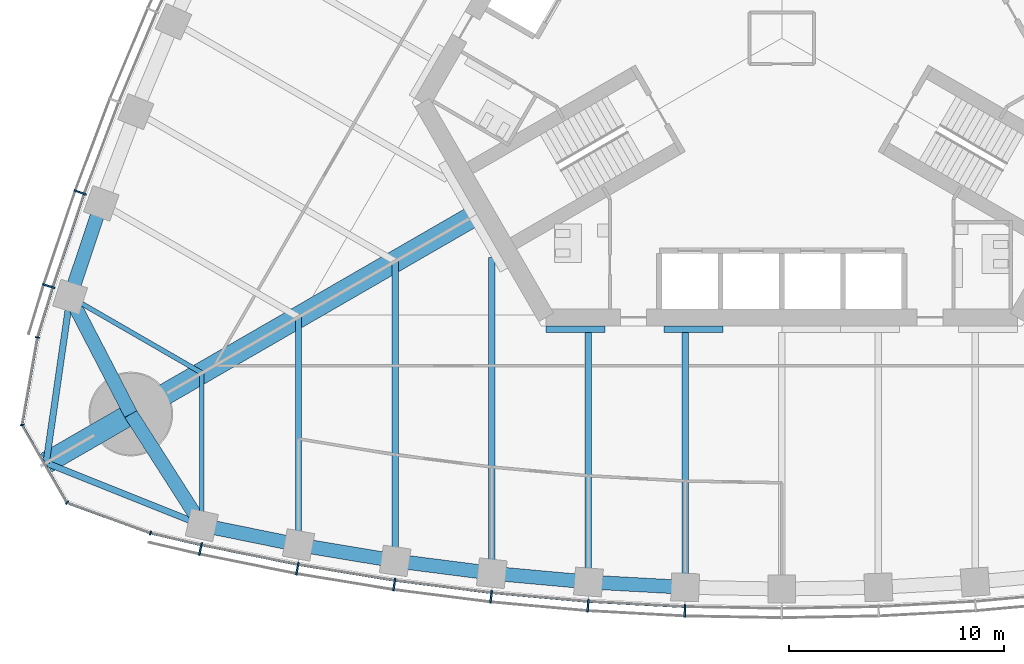
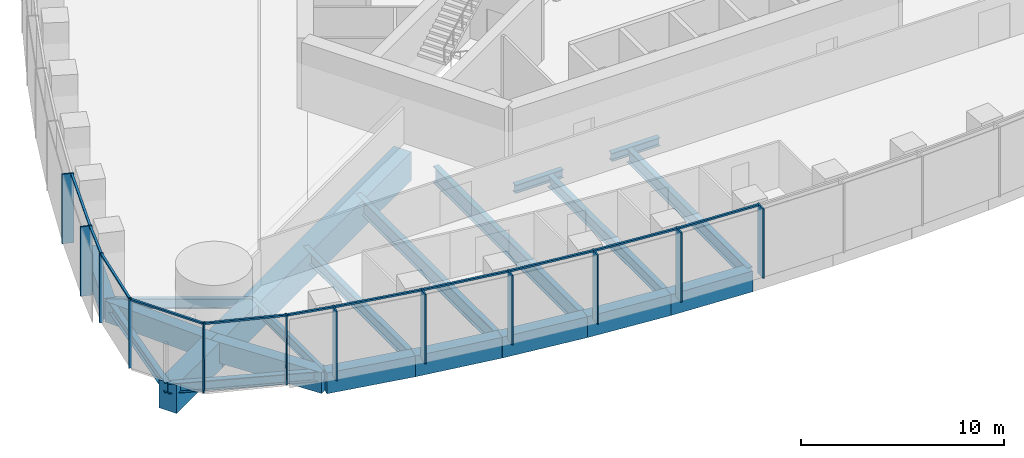
# One storey, part 2 of 19: 23 members, 21 beams, 3 elements without a shape of their own.
"""IFC4 building model written with IfcOpenShell, lengths in metres."""

from ifc_helpers import new_model, si_unit, direction, frame, origin, origin_2d, place, context, subcontext, project, spatial, rectangle, i_section, extrude, material, material_profile, profile_set, type_object, element, aggregate, save


model = new_model("IFC4")

# Units and contexts
model_context = context("Model", 3, precision=1e-05, world=origin(), true_north=direction((0.0, 1.0)))
body_context = subcontext(model_context, "Body", "Model", "MODEL_VIEW")
ifc_project = project(units=[si_unit("LENGTHUNIT", "METRE"), si_unit("AREAUNIT", "SQUARE_METRE"), si_unit("VOLUMEUNIT", "CUBIC_METRE"), si_unit("PLANEANGLEUNIT", "RADIAN"), si_unit("MASSUNIT", "GRAM", prefix="KILO")], contexts=[model_context])

# Site, building, storey
site_placement = place(None, origin())
site = spatial("IfcSite", under=ifc_project, at=site_placement, CompositionType="ELEMENT")
building_placement = place(site_placement, origin())
building = spatial("IfcBuilding", under=site, at=building_placement, Name="Trefoil Bronze Tower", CompositionType="ELEMENT")
storey_placement = place(building_placement, frame((0.0, 0.0, 136.699951171875)))
storey = spatial("IfcBuildingStorey", under=building, at=storey_placement, Name="L31", CompositionType="ELEMENT", Elevation=136.699951171875)

# Curtain wall, members
ifc_material_1 = material(Name="Tinted solar-control glass", Category="glass")
curtain_wall_type_1 = type_object("IfcCurtainWallType", Name="Bronze office curtain wall", PredefinedType="USERDEFINED", material=ifc_material_1)
curtain_wall_1_placement = place(storey_placement, origin())
curtain_wall_1 = element("IfcCurtainWall", 1, at=curtain_wall_1_placement, inside=storey, type_object=curtain_wall_type_1, Name="CW-A L31 F1", ObjectType="CURTAIN WALL", PredefinedType="USERDEFINED")
ifc_material_2 = material(Name="Bronze-finish aluminium", Category="aluminium")
ifc_material_profile_1 = material_profile(ifc_material_2, rectangle(XDim=0.60009765625, YDim=0.080078125, at=origin_2d()), Name="CW-A mullion")
ifc_profile_set_1 = profile_set([ifc_material_profile_1], Name="Bronze-finish aluminium")
member_type_1 = type_object("IfcMemberType", Name="Bronze office curtain wall mullion", PredefinedType="MULLION", material=ifc_profile_set_1)
member_1_placement = place(storey_placement, frame((-27.0634765625, -23.7890625, 0.0), z_axis=(0.0, 0.0, 1.0), x_axis=(0.21197042503, 0.977276081214, 0.0)))
member_1 = element("IfcMember", 2, at=member_1_placement, type_object=member_type_1, Name="CW-A L31 F1 mullion 2", PredefinedType="MULLION", context=body_context, shape_type="SweptSolid", body=[
    extrude(rectangle(XDim=0.60009765625, YDim=0.080078125, at=origin_2d()), origin(), (0.0, 0.0, 1.0), 4.179931640625),
])
member_2_placement = place(storey_placement, frame((-22.553955078125, -24.700927734375, 0.0), z_axis=(0.0, 0.0, 1.0), x_axis=(0.180240853954, 0.98362250613, 0.0)))
member_2 = element("IfcMember", 3, at=member_2_placement, type_object=member_type_1, Name="CW-A L31 F1 mullion 3", PredefinedType="MULLION", context=body_context, shape_type="SweptSolid", body=[
    extrude(rectangle(XDim=0.60009765625, YDim=0.080078125, at=origin_2d()), origin(), (0.0, 0.0, 1.0), 4.179931640625),
])
member_3_placement = place(storey_placement, frame((-18.043212890625, -25.4423828125, 0.0), z_axis=(0.0, 0.0, 1.0), x_axis=(0.144192103798, 0.989549714366, 0.0)))
member_3 = element("IfcMember", 4, at=member_3_placement, type_object=member_type_1, Name="CW-A L31 F1 mullion 4", PredefinedType="MULLION", context=body_context, shape_type="SweptSolid", body=[
    extrude(rectangle(XDim=0.60009765625, YDim=0.080078125, at=origin_2d()), origin(), (0.0, 0.0, 1.0), 4.179931640625),
])
member_4_placement = place(storey_placement, frame((-13.532470703125, -26.01611328125, 0.0), z_axis=(0.0, 0.0, 1.0), x_axis=(0.108143747013, 0.994135267447, 0.0)))
member_4 = element("IfcMember", 5, at=member_4_placement, type_object=member_type_1, Name="CW-A L31 F1 mullion 5", PredefinedType="MULLION", context=body_context, shape_type="SweptSolid", body=[
    extrude(rectangle(XDim=0.60009765625, YDim=0.080078125, at=origin_2d()), origin(), (0.0, 0.0, 1.0), 4.179931640625),
])
member_5_placement = place(storey_placement, frame((-9.021728515625, -26.424072265625, 0.0), z_axis=(0.0, 0.0, 1.0), x_axis=(0.072095676284, 0.997397720802, 0.0)))
member_5 = element("IfcMember", 6, at=member_5_placement, type_object=member_type_1, Name="CW-A L31 F1 mullion 6", PredefinedType="MULLION", context=body_context, shape_type="SweptSolid", body=[
    extrude(rectangle(XDim=0.60009765625, YDim=0.080078125, at=origin_2d()), origin(), (0.0, 0.0, 1.0), 4.179931640625),
])
member_6_placement = place(storey_placement, frame((-4.5107421875, -26.66845703125, 0.0), z_axis=(0.0, 0.0, 1.0), x_axis=(0.036047792107, 0.999350067136, 0.0)))
member_6 = element("IfcMember", 7, at=member_6_placement, type_object=member_type_1, Name="CW-A L31 F1 mullion 7", PredefinedType="MULLION", context=body_context, shape_type="SweptSolid", body=[
    extrude(rectangle(XDim=0.60009765625, YDim=0.080078125, at=origin_2d()), origin(), (0.0, 0.0, 1.0), 4.179931640625),
])

curtain_wall_2_placement = place(storey_placement, origin())
curtain_wall_2 = element("IfcCurtainWall", 8, at=curtain_wall_2_placement, inside=storey, type_object=curtain_wall_type_1, Name="CW-A L31 F3", ObjectType="CURTAIN WALL", PredefinedType="USERDEFINED")
member_7_placement = place(storey_placement, frame((-32.668701171875, -7.181884765625, 0.0), z_axis=(0.0, 0.0, 1.0), x_axis=(0.94196250502, -0.335718094742, 0.0)))
member_7 = element("IfcMember", 9, at=member_7_placement, type_object=member_type_1, Name="CW-A L31 F3 mullion 13", PredefinedType="MULLION", context=body_context, shape_type="SweptSolid", body=[
    extrude(rectangle(XDim=0.60009765625, YDim=0.080078125, at=origin_2d()), origin(), (0.0, 0.0, 1.0), 4.179931640625),
])
member_8_placement = place(storey_placement, frame((-34.1337890625, -11.543212890625, 0.0), z_axis=(0.0, 0.0, 1.0), x_axis=(0.952331125357, -0.30506626768, 0.0)))
member_8 = element("IfcMember", 10, at=member_8_placement, type_object=member_type_1, Name="CW-A L31 F3 mullion 14", PredefinedType="MULLION", context=body_context, shape_type="SweptSolid", body=[
    extrude(rectangle(XDim=0.60009765625, YDim=0.080078125, at=origin_2d()), origin(), (0.0, 0.0, 1.0), 4.179931640625),
])

# Member
ifc_material_3 = material(Name="Bronze-finish aluminium", Category="aluminium")
ifc_material_profile_2 = material_profile(ifc_material_3, rectangle(XDim=0.1201171875, YDim=0.10009765625, at=origin_2d()), Name="CW-A transom")
ifc_profile_set_2 = profile_set([ifc_material_profile_2], Name="Bronze-finish aluminium")
member_type_2 = type_object("IfcMemberType", Name="Bronze office curtain wall transom", PredefinedType="USERDEFINED", material=ifc_profile_set_2)
member_9_placement = place(storey_placement, frame((-29.34130859375, -23.05615234375, 4.130126953125), z_axis=(0.974206243495, -0.225659467196, 0.0), x_axis=(0.225659467196, 0.974206243495, 0.0)))
member_9 = element("IfcMember", 11, at=member_9_placement, type_object=member_type_2, Name="CW-A L31 F1 transom 1", ObjectType="TRANSOM", PredefinedType="USERDEFINED", context=body_context, shape_type="SweptSolid", body=[
    extrude(rectangle(XDim=0.1201171875, YDim=0.10009765625, at=origin_2d()), origin(), (0.0, 0.0, 1.0), 2.340087890625),
])

member_10_placement = place(storey_placement, frame((-26.980712890625, -23.601806640625, 4.130126953125), z_axis=(0.980153749225, -0.198238815273, 0.0), x_axis=(0.198238815273, 0.980153749225, 0.0)))
member_10 = element("IfcMember", 12, at=member_10_placement, type_object=member_type_2, Name="CW-A L31 F1 transom 2", ObjectType="TRANSOM", PredefinedType="USERDEFINED", context=body_context, shape_type="SweptSolid", body=[
    extrude(rectangle(XDim=0.1201171875, YDim=0.10009765625, at=origin_2d()), origin(), (0.0, 0.0, 1.0), 4.51123046875),
])

member_11_placement = place(storey_placement, frame((-22.476806640625, -24.510986328125, 4.130126953125), z_axis=(0.986755265284, -0.162216048636, 0.0), x_axis=(0.162216048636, 0.986755265284, 0.0)))
member_11 = element("IfcMember", 13, at=member_11_placement, type_object=member_type_2, Name="CW-A L31 F1 transom 3", ObjectType="TRANSOM", PredefinedType="USERDEFINED", context=body_context, shape_type="SweptSolid", body=[
    extrude(rectangle(XDim=0.1201171875, YDim=0.10009765625, at=origin_2d()), origin(), (0.0, 0.0, 1.0), 4.48046875),
])

member_12_placement = place(storey_placement, frame((-17.972900390625, -25.249755859375, 4.130126953125), z_axis=(0.992008387848, -0.12617193998, 0.0), x_axis=(0.12617193998, 0.992008387848, 0.0)))
member_12 = element("IfcMember", 14, at=member_12_placement, type_object=member_type_2, Name="CW-A L31 F1 transom 4", ObjectType="TRANSOM", PredefinedType="USERDEFINED", context=body_context, shape_type="SweptSolid", body=[
    extrude(rectangle(XDim=0.1201171875, YDim=0.10009765625, at=origin_2d()), origin(), (0.0, 0.0, 1.0), 4.456298828125),
])

member_13_placement = place(storey_placement, frame((-13.46923828125, -25.821044921875, 4.130126953125), z_axis=(0.995932787062, -0.090099298863, 0.0), x_axis=(0.090099298863, 0.995932787062, 0.0)))
member_13 = element("IfcMember", 15, at=member_13_placement, type_object=member_type_2, Name="CW-A L31 F1 transom 5", ObjectType="TRANSOM", PredefinedType="USERDEFINED", context=body_context, shape_type="SweptSolid", body=[
    extrude(rectangle(XDim=0.1201171875, YDim=0.10009765625, at=origin_2d()), origin(), (0.0, 0.0, 1.0), 4.4384765625),
])

member_14_placement = place(storey_placement, frame((-8.965576171875, -26.22705078125, 4.130126953125), z_axis=(0.998538253569, -0.054049571306, 0.0), x_axis=(0.054049571306, 0.998538253569, 0.0)))
member_14 = element("IfcMember", 16, at=member_14_placement, type_object=member_type_2, Name="CW-A L31 F1 transom 6", ObjectType="TRANSOM", PredefinedType="USERDEFINED", context=body_context, shape_type="SweptSolid", body=[
    extrude(rectangle(XDim=0.1201171875, YDim=0.10009765625, at=origin_2d()), origin(), (0.0, 0.0, 1.0), 4.4267578125),
])

aggregate(curtain_wall_1, [member_1, member_2, member_3, member_4, member_5, member_6, member_9, member_10, member_11, member_12, member_13, member_14])

member_15_placement = place(storey_placement, frame((-32.49365234375, -7.28857421875, 4.130126953125), z_axis=(-0.318386323729, -0.947961048178, 0.0), x_axis=(0.947961048178, -0.318386323729, 0.0)))
member_15 = element("IfcMember", 17, at=member_15_placement, type_object=member_type_2, Name="CW-A L31 F3 transom 13", ObjectType="TRANSOM", PredefinedType="USERDEFINED", context=body_context, shape_type="SweptSolid", body=[
    extrude(rectangle(XDim=0.1201171875, YDim=0.10009765625, at=origin_2d()), origin(), (0.0, 0.0, 1.0), 4.51123046875),
])

member_16_placement = place(storey_placement, frame((-33.955322265625, -11.643798828125, 4.130126953125), z_axis=(-0.291680468798, -0.956515814883, 0.0), x_axis=(0.956515814883, -0.291680468798, 0.0)))
member_16 = element("IfcMember", 18, at=member_16_placement, type_object=member_type_2, Name="CW-A L31 F3 transom 14", ObjectType="TRANSOM", PredefinedType="USERDEFINED", context=body_context, shape_type="SweptSolid", body=[
    extrude(rectangle(XDim=0.1201171875, YDim=0.10009765625, at=origin_2d()), origin(), (0.0, 0.0, 1.0), 2.34033203125),
])

aggregate(curtain_wall_2, [member_7, member_8, member_15, member_16])

# Curtain wall, members
ifc_material_4 = material(Name="Tinted solar-control glass", Category="glass")
curtain_wall_type_2 = type_object("IfcCurtainWallType", Name="Bronze rounded corner curtain wall", PredefinedType="USERDEFINED", material=ifc_material_4)
curtain_wall_3_placement = place(storey_placement, origin())
curtain_wall_3 = element("IfcCurtainWall", 19, at=curtain_wall_3_placement, inside=storey, type_object=curtain_wall_type_2, Name="CW-B L31 K3", ObjectType="CURTAIN WALL", PredefinedType="USERDEFINED")
ifc_material_5 = material(Name="Bronze-finish aluminium", Category="aluminium")
ifc_material_profile_3 = material_profile(ifc_material_5, rectangle(XDim=0.199951171875, YDim=0.06005859375, at=origin_2d()), Name="CW-B mullion")
ifc_profile_set_3 = profile_set([ifc_material_profile_3], Name="Bronze-finish aluminium")
member_type_3 = type_object("IfcMemberType", Name="Bronze rounded corner curtain wall mullion", PredefinedType="MULLION", material=ifc_profile_set_3)
member_17_placement = place(storey_placement, frame((-34.65234375, -13.932373046875, 0.0), z_axis=(0.0, 0.0, 1.0), x_axis=(0.984807753012, -0.173648177667, 0.0)))
member_17 = element("IfcMember", 20, at=member_17_placement, type_object=member_type_3, Name="CW-B L31 K3 mullion 1", PredefinedType="MULLION", context=body_context, shape_type="SweptSolid", body=[
    extrude(rectangle(XDim=0.199951171875, YDim=0.06005859375, at=origin_2d()), origin(), (0.0, 0.0, 1.0), 4.179931640625),
])
member_18_placement = place(storey_placement, frame((-35.364990234375, -18.009033203125, 0.0), z_axis=(0.0, 0.0, 1.0), x_axis=(0.984807753012, 0.173648177667, 0.0)))
member_18 = element("IfcMember", 21, at=member_18_placement, type_object=member_type_3, Name="CW-B L31 K3 mullion 2", PredefinedType="MULLION", context=body_context, shape_type="SweptSolid", body=[
    extrude(rectangle(XDim=0.199951171875, YDim=0.06005859375, at=origin_2d()), origin(), (0.0, 0.0, 1.0), 4.179931640625),
])
member_19_placement = place(storey_placement, frame((-33.27880859375, -21.62255859375, 0.0), z_axis=(0.0, 0.0, 1.0), x_axis=(0.642787609687, 0.766044443119, 0.0)))
member_19 = element("IfcMember", 22, at=member_19_placement, type_object=member_type_3, Name="CW-B L31 K3 mullion 3", PredefinedType="MULLION", context=body_context, shape_type="SweptSolid", body=[
    extrude(rectangle(XDim=0.199951171875, YDim=0.06005859375, at=origin_2d()), origin(), (0.0, 0.0, 1.0), 4.179931640625),
])
member_20_placement = place(storey_placement, frame((-29.391845703125, -23.043701171875, 0.0), z_axis=(0.0, 0.0, 1.0), x_axis=(0.342020143326, 0.939692620786, 0.0)))
member_20 = element("IfcMember", 23, at=member_20_placement, type_object=member_type_3, Name="CW-B L31 K3 mullion 4", PredefinedType="MULLION", context=body_context, shape_type="SweptSolid", body=[
    extrude(rectangle(XDim=0.199951171875, YDim=0.06005859375, at=origin_2d()), origin(), (0.0, 0.0, 1.0), 4.179931640625),
])
ifc_material_6 = material(Name="Bronze-finish aluminium", Category="aluminium")
ifc_material_profile_4 = material_profile(ifc_material_6, rectangle(XDim=0.1201171875, YDim=0.10009765625, at=origin_2d()), Name="CW-B transom")
ifc_profile_set_4 = profile_set([ifc_material_profile_4], Name="Bronze-finish aluminium")
member_type_4 = type_object("IfcMemberType", Name="Bronze rounded corner curtain wall transom", PredefinedType="USERDEFINED", material=ifc_profile_set_4)
member_21_placement = place(storey_placement, frame((-34.657470703125, -13.9619140625, 4.130126953125), z_axis=(-0.173682016639, -0.984801785689, 0.0), x_axis=(0.984801785689, -0.173682016639, 0.0)))
member_21 = element("IfcMember", 24, at=member_21_placement, type_object=member_type_4, Name="CW-B L31 K3 transom 1", ObjectType="TRANSOM", PredefinedType="USERDEFINED", context=body_context, shape_type="SweptSolid", body=[
    extrude(rectangle(XDim=0.1201171875, YDim=0.10009765625, at=origin_2d()), origin(), (0.0, 0.0, 1.0), 4.044189453125),
])
member_22_placement = place(storey_placement, frame((-35.338134765625, -18.067626953125, 4.130126953125), z_axis=(0.500015078168, -0.866016698225, 0.0), x_axis=(0.866016698225, 0.500015078168, 0.0)))
member_22 = element("IfcMember", 25, at=member_22_placement, type_object=member_type_4, Name="CW-B L31 K3 transom 2", ObjectType="TRANSOM", PredefinedType="USERDEFINED", context=body_context, shape_type="SweptSolid", body=[
    extrude(rectangle(XDim=0.1201171875, YDim=0.10009765625, at=origin_2d()), origin(), (0.0, 0.0, 1.0), 4.04443359375),
])
member_23_placement = place(storey_placement, frame((-33.220458984375, -21.650146484375, 4.130126953125), z_axis=(0.939684096629, -0.342043562347, 0.0), x_axis=(0.342043562347, 0.939684096629, 0.0)))
member_23 = element("IfcMember", 26, at=member_23_placement, type_object=member_type_4, Name="CW-B L31 K3 transom 3", ObjectType="TRANSOM", PredefinedType="USERDEFINED", context=body_context, shape_type="SweptSolid", body=[
    extrude(rectangle(XDim=0.1201171875, YDim=0.10009765625, at=origin_2d()), origin(), (0.0, 0.0, 1.0), 4.044189453125),
])
aggregate(curtain_wall_3, [member_17, member_18, member_19, member_20, member_21, member_22, member_23])

# Beams
ifc_material_7 = material(Name="Steel C355", Category="steel")
ifc_material_profile_5 = material_profile(ifc_material_7, i_section(OverallWidth=0.300048828125, OverallDepth=0.5, WebThickness=0.014404296875, FlangeThickness=0.028076171875, FilletRadius=0.027099609375, at=origin_2d()), Name="HEB 500")
ifc_profile_set_5 = profile_set([ifc_material_profile_5], Name="Steel C355")
beam_type_1 = type_object("IfcBeamType", Name="Core seat beam HEB 500", PredefinedType="BEAM", material=ifc_profile_set_5)
for number, where, z_axis, x_axis, name in (
    (27, (-10.9697265625, -13.550048828125, -0.449951171875), (1.0, 0.0, 0.0), (0.0, 1.0, 0.0), "Core seat beam F1/-2 L31"),
    (28, (-5.48486328125, -13.550048828125, -0.449951171875), (1.0, 0.0, 0.0), (0.0, 1.0, 0.0), "Core seat beam F1/-1 L31"),
):
    element("IfcBeam", number, at=place(storey_placement, frame(where, z_axis=z_axis, x_axis=x_axis)), inside=storey, type_object=beam_type_1, Name=name, PredefinedType="BEAM", context=body_context, shape_type="SweptSolid", body=[
        extrude(i_section(OverallWidth=0.300048828125, OverallDepth=0.5, WebThickness=0.014404296875, FlangeThickness=0.028076171875, FilletRadius=0.027099609375, at=origin_2d()), origin(), (0.0, 0.0, 1.0), 2.742431640625),
    ])
ifc_material_8 = material(Name="Concrete B80", Category="concrete")
ifc_material_profile_6 = material_profile(ifc_material_8, rectangle(XDim=1.0, YDim=1.699951171875, at=origin_2d()), Name="RC 1000x1700")
ifc_profile_set_6 = profile_set([ifc_material_profile_6], Name="Concrete B80")
beam_type_2 = type_object("IfcBeamType", Name="Corner cantilever RC 1000x1700", PredefinedType="BEAM", material=ifc_profile_set_6)
beam_1_placement = place(storey_placement, frame((-30.310791015625, -17.5, -1.050048828125), z_axis=(-0.866031878637, -0.499988785058, 0.0), x_axis=(0.499988785058, -0.866031878637, 0.0)))
element("IfcBeam", 29, at=beam_1_placement, inside=storey, type_object=beam_type_2, Name="Corner cantilever K3 L31", PredefinedType="BEAM", context=body_context, shape_type="SweptSolid", body=[
    extrude(rectangle(XDim=1.0, YDim=1.699951171875, at=origin_2d()), origin(), (0.0, 0.0, 1.0), 4.54931640625),
])
ifc_material_9 = material(Name="Steel C355", Category="steel")
ifc_material_profile_7 = material_profile(ifc_material_9, i_section(OverallWidth=0.300048828125, OverallDepth=0.60009765625, WebThickness=0.015380859375, FlangeThickness=0.030029296875, FilletRadius=0.027099609375, at=origin_2d()), Name="HEB 600")
ifc_profile_set_7 = profile_set([ifc_material_profile_7], Name="Steel C355")
beam_type_3 = type_object("IfcBeamType", Name="Corner edge beam HEB 600", PredefinedType="BEAM", material=ifc_profile_set_7)
for number, where, z_axis, x_axis, name in (
    (30, (-27.0, -22.67724609375, -0.5), (-0.928375332495, 0.371643972122, 0.0), (-0.371643972122, -0.928375332495, 0.0), "Corner edge beam F1B L31"),
    (31, (-33.13916015625, -12.044189453125, -0.5), (-0.142327214588, -0.989819662357, 0.0), (0.989819662357, -0.142327214588, 0.0), "Corner edge beam F3A L31"),
):
    element("IfcBeam", number, at=place(storey_placement, frame(where, z_axis=z_axis, x_axis=x_axis)), inside=storey, type_object=beam_type_3, Name=name, PredefinedType="BEAM", context=body_context, shape_type="SweptSolid", body=[
        extrude(i_section(OverallWidth=0.300048828125, OverallDepth=0.60009765625, WebThickness=0.015380859375, FlangeThickness=0.030029296875, FilletRadius=0.027099609375, at=origin_2d()), origin(), (0.0, 0.0, 1.0), 7.81005859375),
    ])
ifc_material_10 = material(Name="Concrete B80", Category="concrete")
ifc_material_profile_8 = material_profile(ifc_material_10, rectangle(XDim=1.0, YDim=1.699951171875, at=origin_2d()), Name="RC 1000x1700")
ifc_profile_set_8 = profile_set([ifc_material_profile_8], Name="Concrete B80")
beam_type_4 = type_object("IfcBeamType", Name="Corner girder RC 1000x1700", PredefinedType="BEAM", material=ifc_profile_set_8)
beam_2_placement = place(storey_placement, frame((-14.202880859375, -8.199951171875, -1.050048828125), z_axis=(-0.866022084834, -0.500005748546, 0.0), x_axis=(0.500005748546, -0.866022084834, 0.0)))
element("IfcBeam", 32, at=beam_2_placement, inside=storey, type_object=beam_type_4, Name="Corner girder K3 L31", PredefinedType="BEAM", context=body_context, shape_type="SweptSolid", body=[
    extrude(rectangle(XDim=1.0, YDim=1.699951171875, at=origin_2d()), origin(), (0.0, 0.0, 1.0), 18.599853515625),
])
ifc_material_11 = material(Name="Concrete B80", Category="concrete")
ifc_material_profile_9 = material_profile(ifc_material_11, rectangle(XDim=0.64990234375, YDim=1.25, at=origin_2d()), Name="RC 650x1250")
ifc_profile_set_9 = profile_set([ifc_material_profile_9], Name="Concrete B80")
beam_type_5 = type_object("IfcBeamType", Name="End spandrel beam RC 650x1250", PredefinedType="SPANDREL", material=ifc_profile_set_9)
for number, where, z_axis, x_axis, name in (
    (33, (-30.310791015625, -17.5, -0.824951171875), (0.53874814953, -0.84246687257, 0.0), (0.84246687257, 0.53874814953, 0.0), "Spandrel F1.1 L31"),
    (34, (-33.13916015625, -12.044189453125, -0.824951171875), (0.460244107083, -0.887792409235, 0.0), (0.887792409235, 0.460244107083, 0.0), "Spandrel F3.14 L31"),
):
    element("IfcBeam", number, at=place(storey_placement, frame(where, z_axis=z_axis, x_axis=x_axis)), inside=storey, type_object=beam_type_5, Name=name, PredefinedType="SPANDREL", context=body_context, shape_type="SweptSolid", body=[
        extrude(rectangle(XDim=0.64990234375, YDim=1.25, at=origin_2d()), origin(), (0.0, 0.0, 1.0), 6.145263671875),
    ])
ifc_material_12 = material(Name="Steel C355", Category="steel")
ifc_material_profile_10 = material_profile(ifc_material_12, i_section(OverallWidth=0.300048828125, OverallDepth=1.0, WebThickness=0.01904296875, FlangeThickness=0.035888671875, FilletRadius=0.030029296875, at=origin_2d()), Name="HEB 1000")
ifc_profile_set_10 = profile_set([ifc_material_profile_10], Name="Steel C355")
beam_type_6 = type_object("IfcBeamType", Name="Floor beam HEB 1000", PredefinedType="BEAM", material=ifc_profile_set_10)
beam_3_placement = place(storey_placement, frame((-13.5, -24.9130859375, -0.699951171875), z_axis=(0.0, 1.0, 0.0), x_axis=(-1.0, 0.0, 0.0)))
element("IfcBeam", 35, at=beam_3_placement, inside=storey, type_object=beam_type_6, Name="Floor beam F1/-3 L31", PredefinedType="BEAM", context=body_context, shape_type="SweptSolid", body=[
    extrude(i_section(OverallWidth=0.300048828125, OverallDepth=1.0, WebThickness=0.01904296875, FlangeThickness=0.035888671875, FilletRadius=0.030029296875, at=origin_2d()), origin(), (0.0, 0.0, 1.0), 14.69580078125),
])
ifc_material_13 = material(Name="Steel C355", Category="steel")
ifc_material_profile_11 = material_profile(ifc_material_13, i_section(OverallWidth=0.300048828125, OverallDepth=0.699951171875, WebThickness=0.01708984375, FlangeThickness=0.031982421875, FilletRadius=0.027099609375, at=origin_2d()), Name="HEB 700")
ifc_profile_set_11 = profile_set([ifc_material_profile_11], Name="Steel C355")
beam_type_7 = type_object("IfcBeamType", Name="Floor beam HEB 700", PredefinedType="BEAM", material=ifc_profile_set_11)
beam_4_placement = place(storey_placement, frame((-22.5, -23.592529296875, -0.550048828125), z_axis=(0.0, 1.0, 0.0), x_axis=(-1.0, 0.0, 0.0)))
element("IfcBeam", 36, at=beam_4_placement, inside=storey, type_object=beam_type_7, Name="Floor beam F1/-5 L31", PredefinedType="BEAM", context=body_context, shape_type="SweptSolid", body=[
    extrude(i_section(OverallWidth=0.300048828125, OverallDepth=0.699951171875, WebThickness=0.01708984375, FlangeThickness=0.031982421875, FilletRadius=0.027099609375, at=origin_2d()), origin(), (0.0, 0.0, 1.0), 10.60205078125),
])
beam_5_placement = place(storey_placement, frame((-9.0, -25.32275390625, -0.550048828125), z_axis=(0.0, 1.0, 0.0), x_axis=(-1.0, 0.0, 0.0)))
element("IfcBeam", 37, at=beam_5_placement, inside=storey, type_object=beam_type_7, Name="Floor beam F1/-2 L31", PredefinedType="BEAM", context=body_context, shape_type="SweptSolid", body=[
    extrude(i_section(OverallWidth=0.300048828125, OverallDepth=0.699951171875, WebThickness=0.01708984375, FlangeThickness=0.031982421875, FilletRadius=0.027099609375, at=origin_2d()), origin(), (0.0, 0.0, 1.0), 11.622802734375),
])
ifc_material_14 = material(Name="Steel C355", Category="steel")
ifc_material_profile_12 = material_profile(ifc_material_14, i_section(OverallWidth=0.300048828125, OverallDepth=0.800048828125, WebThickness=0.017578125, FlangeThickness=0.032958984375, FilletRadius=0.030029296875, at=origin_2d()), Name="HEB 800")
ifc_profile_set_12 = profile_set([ifc_material_profile_12], Name="Steel C355")
beam_type_8 = type_object("IfcBeamType", Name="Floor beam HEB 800", PredefinedType="BEAM", material=ifc_profile_set_12)
beam_6_placement = place(storey_placement, frame((-4.5, -25.568115234375, -0.599853515625), z_axis=(0.0, 1.0, 0.0), x_axis=(-1.0, 0.0, 0.0)))
element("IfcBeam", 38, at=beam_6_placement, inside=storey, type_object=beam_type_8, Name="Floor beam F1/-1 L31", PredefinedType="BEAM", context=body_context, shape_type="SweptSolid", body=[
    extrude(i_section(OverallWidth=0.300048828125, OverallDepth=0.800048828125, WebThickness=0.017578125, FlangeThickness=0.032958984375, FilletRadius=0.030029296875, at=origin_2d()), origin(), (0.0, 0.0, 1.0), 11.8681640625),
])
ifc_material_15 = material(Name="Steel C355", Category="steel")
ifc_material_profile_13 = material_profile(ifc_material_15, i_section(OverallWidth=0.300048828125, OverallDepth=0.89990234375, WebThickness=0.0185546875, FlangeThickness=0.034912109375, FilletRadius=0.030029296875, at=origin_2d()), Name="HEB 900")
ifc_profile_set_13 = profile_set([ifc_material_profile_13], Name="Steel C355")
beam_type_9 = type_object("IfcBeamType", Name="Floor beam HEB 900", PredefinedType="BEAM", material=ifc_profile_set_13)
beam_7_placement = place(storey_placement, frame((-18.0, -24.337158203125, -0.64990234375), z_axis=(0.0, 1.0, 0.0), x_axis=(-1.0, 0.0, 0.0)))
element("IfcBeam", 39, at=beam_7_placement, inside=storey, type_object=beam_type_9, Name="Floor beam F1/-4 L31", PredefinedType="BEAM", context=body_context, shape_type="SweptSolid", body=[
    extrude(i_section(OverallWidth=0.300048828125, OverallDepth=0.89990234375, WebThickness=0.0185546875, FlangeThickness=0.034912109375, FilletRadius=0.030029296875, at=origin_2d()), origin(), (0.0, 0.0, 1.0), 13.94482421875),
])
ifc_material_16 = material(Name="Steel C355", Category="steel")
ifc_material_profile_14 = material_profile(ifc_material_16, i_section(OverallWidth=0.219970703125, OverallDepth=0.60009765625, WebThickness=0.011962890625, FlangeThickness=0.01904296875, FilletRadius=0.02392578125, at=origin_2d()), Name="IPE 600")
ifc_profile_set_14 = profile_set([ifc_material_profile_14], Name="Steel C355")
beam_type_10 = type_object("IfcBeamType", Name="Floor beam IPE 600", PredefinedType="BEAM", material=ifc_profile_set_14)
for number, where, z_axis, x_axis, name in (
    (40, (-27.0, -22.67724609375, -0.5), (0.0, 1.0, 0.0), (-1.0, 0.0, 0.0), "Floor beam F1/-6 L31"),
    (41, (-33.13916015625, -12.044189453125, -0.5), (0.866041060244, -0.499972881236, 0.0), (0.499972881236, 0.866041060244, 0.0), "Floor beam F3/+6 L31"),
):
    element("IfcBeam", number, at=place(storey_placement, frame(where, z_axis=z_axis, x_axis=x_axis)), inside=storey, type_object=beam_type_10, Name=name, PredefinedType="BEAM", context=body_context, shape_type="SweptSolid", body=[
        extrude(i_section(OverallWidth=0.219970703125, OverallDepth=0.60009765625, WebThickness=0.011962890625, FlangeThickness=0.01904296875, FilletRadius=0.02392578125, at=origin_2d()), origin(), (0.0, 0.0, 1.0), 7.0888671875),
    ])
ifc_material_17 = material(Name="Concrete B80", Category="concrete")
ifc_material_profile_15 = material_profile(ifc_material_17, rectangle(XDim=0.64990234375, YDim=1.25, at=origin_2d()), Name="RC 650x1250")
ifc_profile_set_15 = profile_set([ifc_material_profile_15], Name="Concrete B80")
beam_type_11 = type_object("IfcBeamType", Name="Spandrel beam RC 650x1250", PredefinedType="SPANDREL", material=ifc_profile_set_15)
beam_8_placement = place(storey_placement, frame((-27.0, -22.67724609375, -0.824951171875), z_axis=(0.979935430296, -0.199315208777, 0.0), x_axis=(0.199315208777, 0.979935430296, 0.0)))
element("IfcBeam", 42, at=beam_8_placement, inside=storey, type_object=beam_type_11, Name="Spandrel F1.2 L31", PredefinedType="SPANDREL", context=body_context, shape_type="SweptSolid", body=[
    extrude(rectangle(XDim=0.64990234375, YDim=1.25, at=origin_2d()), origin(), (0.0, 0.0, 1.0), 4.592041015625),
])
beam_9_placement = place(storey_placement, frame((-22.5, -23.592529296875, -0.824951171875), z_axis=(0.986584214684, -0.163253138823, 0.0), x_axis=(0.163253138823, 0.986584214684, 0.0)))
element("IfcBeam", 43, at=beam_9_placement, inside=storey, type_object=beam_type_11, Name="Spandrel F1.3 L31", PredefinedType="SPANDREL", context=body_context, shape_type="SweptSolid", body=[
    extrude(rectangle(XDim=0.64990234375, YDim=1.25, at=origin_2d()), origin(), (0.0, 0.0, 1.0), 4.561279296875),
])
beam_10_placement = place(storey_placement, frame((-18.0, -24.337158203125, -0.824951171875), z_axis=(0.991909314257, -0.126948463126, 0.0), x_axis=(0.126948463126, 0.991909314257, 0.0)))
element("IfcBeam", 44, at=beam_10_placement, inside=storey, type_object=beam_type_11, Name="Spandrel F1.4 L31", PredefinedType="SPANDREL", context=body_context, shape_type="SweptSolid", body=[
    extrude(rectangle(XDim=0.64990234375, YDim=1.25, at=origin_2d()), origin(), (0.0, 0.0, 1.0), 4.53662109375),
])
beam_11_placement = place(storey_placement, frame((-13.5, -24.9130859375, -0.824951171875), z_axis=(0.995881683815, -0.090662405894, 0.0), x_axis=(0.090662405894, 0.995881683815, 0.0)))
element("IfcBeam", 45, at=beam_11_placement, inside=storey, type_object=beam_type_11, Name="Spandrel F1.5 L31", PredefinedType="SPANDREL", context=body_context, shape_type="SweptSolid", body=[
    extrude(rectangle(XDim=0.64990234375, YDim=1.25, at=origin_2d()), origin(), (0.0, 0.0, 1.0), 4.5185546875),
])
beam_12_placement = place(storey_placement, frame((-9.0, -25.32275390625, -0.824951171875), z_axis=(0.998516832602, -0.054443870267, 0.0), x_axis=(0.054443870267, 0.998516832602, 0.0)))
element("IfcBeam", 46, at=beam_12_placement, inside=storey, type_object=beam_type_11, Name="Spandrel F1.6 L31", PredefinedType="SPANDREL", context=body_context, shape_type="SweptSolid", body=[
    extrude(rectangle(XDim=0.64990234375, YDim=1.25, at=origin_2d()), origin(), (0.0, 0.0, 1.0), 4.506591796875),
])
beam_13_placement = place(storey_placement, frame((-31.681884765625, -7.689208984375, -0.824951171875), z_axis=(-0.31732802068, -0.948315837309, 0.0), x_axis=(0.948315837309, -0.31732802068, 0.0)))
element("IfcBeam", 47, at=beam_13_placement, inside=storey, type_object=beam_type_11, Name="Spandrel F3.13 L31", PredefinedType="SPANDREL", context=body_context, shape_type="SweptSolid", body=[
    extrude(rectangle(XDim=0.64990234375, YDim=1.25, at=origin_2d()), origin(), (0.0, 0.0, 1.0), 4.59228515625),
])

save(model, "model.ifc")
